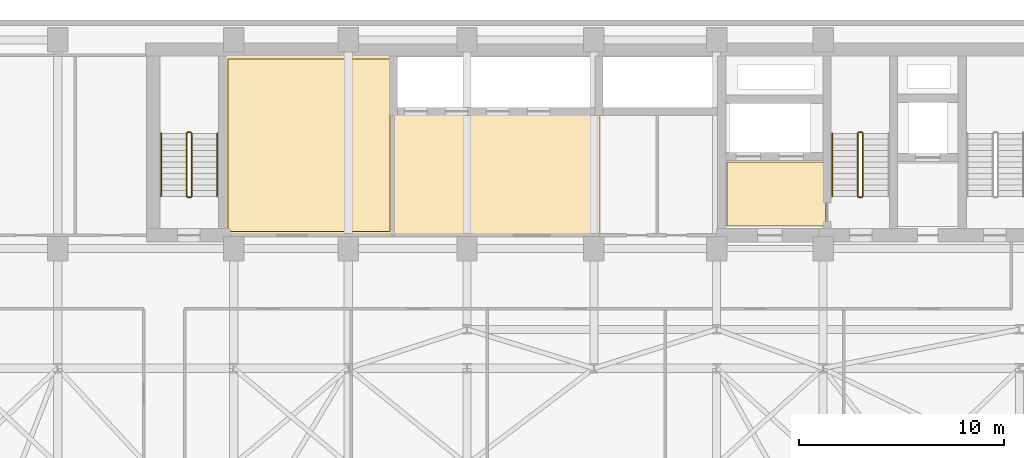
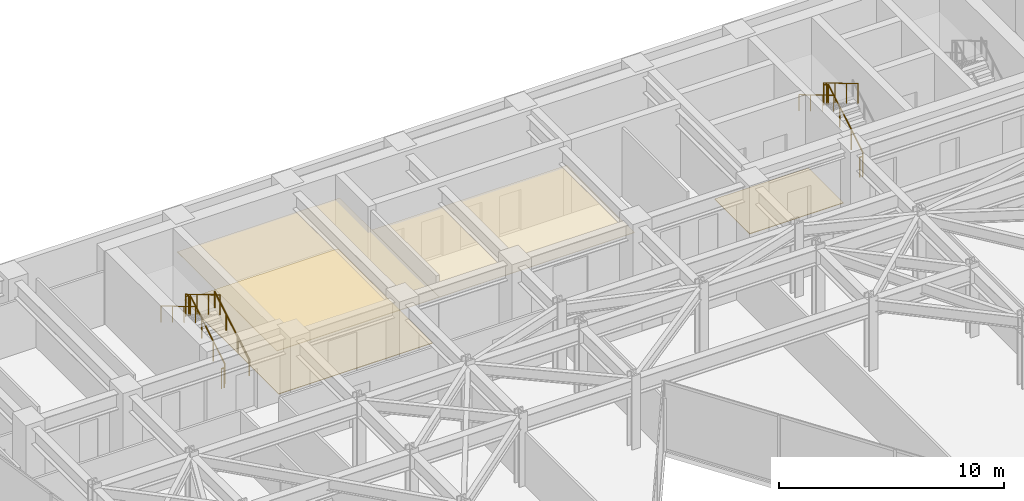
# One storey, part 25 of 26: 11 railings, 4 coverings.
"""IFC4 building model written with IfcOpenShell, lengths in metres."""

from ifc_helpers import new_model, si_unit, direction, frame, origin, origin_2d, place, context, subcontext, project, spatial, polyline, circle, outline, extrude, material, layer, layer_set, type_object, element, save


model = new_model("IFC4")

# Units and contexts
model_context = context("Model", 3, precision=1e-05, world=origin(), true_north=direction((0.0, 1.0)))
body_context = subcontext(model_context, "Body", "Model", "MODEL_VIEW")
ifc_project = project(units=[si_unit("LENGTHUNIT", "METRE"), si_unit("AREAUNIT", "SQUARE_METRE"), si_unit("VOLUMEUNIT", "CUBIC_METRE"), si_unit("PLANEANGLEUNIT", "RADIAN"), si_unit("MASSUNIT", "GRAM", prefix="KILO")], contexts=[model_context])

# Site, building, storey
site_placement = place(None, origin())
site = spatial("IfcSite", under=ifc_project, at=site_placement, CompositionType="ELEMENT")
building_placement = place(site_placement, origin())
building = spatial("IfcBuilding", under=site, at=building_placement, Name="Kravanh Interchange Tower", CompositionType="ELEMENT")
storey_placement = place(building_placement, frame((0.0, 0.0, 112.0)))
storey = spatial("IfcBuildingStorey", under=building, at=storey_placement, Name="L26", CompositionType="ELEMENT", Elevation=112.0)

# Coverings
ifc_material_1 = material(Name="Cementitious Terrazzo Tile")
ifc_layer_1 = layer(ifc_material_1, 0.030029296875)
ifc_layer_set_1 = layer_set([ifc_layer_1], Name="Honed Terrazzo Lobby Flooring 30mm")
covering_type_1 = type_object("IfcCoveringType", Name="Honed Terrazzo Lobby Flooring 30mm", PredefinedType="FLOORING", material=ifc_layer_set_1)
covering_1_placement = place(storey_placement, origin())
element("IfcCovering", 1, at=covering_1_placement, inside=storey, type_object=covering_type_1, Name="L26 Firefighting Lobby Floor Finish", PredefinedType="FLOORING", context=body_context, shape_type="SweptSolid", body=[
    extrude(outline(polyline([(56.1201171875, 38.4599609375), (51.300048828125, 38.4599609375), (51.300048828125, 41.580078125), (56.1201171875, 41.580078125), (56.1201171875, 38.4599609375)])), origin(), (0.0, 0.0, 1.0), 0.030029296875),
])
covering_2_placement = place(storey_placement, origin())
element("IfcCovering", 2, at=covering_2_placement, inside=storey, type_object=covering_type_1, Name="L26 Tenant Wellness and Prayer Suite Floor Finish", PredefinedType="FLOORING", context=body_context, shape_type="SweptSolid", body=[
    extrude(outline(polyline([(26.929931640625, 46.6201171875), (34.840087890625, 46.6201171875), (34.840087890625, 38.179931640625), (26.929931640625, 38.179931640625), (26.929931640625, 46.6201171875)])), origin(), (0.0, 0.0, 1.0), 0.030029296875),
])
ifc_material_2 = material(Name="Anodised Bronze Aluminium Acoustic Baffle", Category="aluminium")
ifc_layer_2 = layer(ifc_material_2, 0.034912109375)
ifc_layer_set_2 = layer_set([ifc_layer_2], Name="Linear Bronze Baffle Feature Ceiling 35mm")
covering_type_2 = type_object("IfcCoveringType", Name="Linear Bronze Baffle Feature Ceiling 35mm", PredefinedType="CEILING", material=ifc_layer_set_2)
covering_3_placement = place(storey_placement, frame((0.0, 0.0, 2.550048828125)))
element("IfcCovering", 3, at=covering_3_placement, inside=storey, type_object=covering_type_2, Name="L26 Tenant Wellness and Prayer Suite Suspended Ceiling", PredefinedType="CEILING", context=body_context, shape_type="SweptSolid", body=[
    extrude(outline(polyline([(35.06005859375, 37.9599609375), (26.7099609375, 37.9599609375), (26.7099609375, 46.840087890625), (35.06005859375, 46.840087890625), (35.06005859375, 37.9599609375)])), origin(), (0.0, 0.0, 1.0), 0.034912109375),
])
ifc_material_3 = material(Name="Acoustic Mineral Fibre Tile on Aluminium Grid", Category="aluminium")
ifc_layer_3 = layer(ifc_material_3, 0.02490234375)
ifc_layer_set_3 = layer_set([ifc_layer_3], Name="Perforated Acoustic Mineral Ceiling 25mm")
covering_type_3 = type_object("IfcCoveringType", Name="Perforated Acoustic Mineral Ceiling 25mm", PredefinedType="CEILING", material=ifc_layer_set_3)
covering_4_placement = place(storey_placement, frame((0.0, 0.0, 2.550048828125)))
element("IfcCovering", 4, at=covering_4_placement, inside=storey, type_object=covering_type_3, Name="L26 Mid-Rise Lift Lobby Suspended Ceiling", PredefinedType="CEILING", context=body_context, shape_type="SweptSolid", body=[
    extrude(outline(polyline([(45.090087890625, 37.9599609375), (34.93994140625, 37.9599609375), (34.93994140625, 43.989990234375), (45.090087890625, 43.989990234375), (45.090087890625, 37.9599609375)])), origin(), (0.0, 0.0, 1.0), 0.02490234375),
])

# Railings
ifc_material_4 = material(Name="Structural Steel S355", Category="steel")
ifc_layer_4 = layer(ifc_material_4, 0.050048828125)
ifc_layer_set_4 = layer_set([ifc_layer_4], Name="Stair Well Guardrail Structural Steel S355 1100mm")
railing_type_1 = type_object("IfcRailingType", Name="Stair Well Guardrail Structural Steel S355 1100mm", PredefinedType="GUARDRAIL", material=ifc_layer_set_4)
railing_1_placement = place(storey_placement, frame((57.949951171875, 39.89990234375, 0.166748046875)))
element("IfcRailing", 5, at=railing_1_placement, inside=storey, type_object=railing_type_1, Name="L26 ST2 stair guard 1", PredefinedType="GUARDRAIL", context=body_context, shape_type="SweptSolid", body=[
    extrude(circle(Radius=0.02392578125, at=origin_2d()), frame((0.0, 0.0, 1.076171875), z_axis=(0.0, 0.859308565015, 0.511457515432), x_axis=(-1.0, 0.0, 0.0)), (0.0, 0.0, 1.0), 3.58447265625),
    extrude(circle(Radius=0.02099609375, at=origin_2d()), origin(), (0.0, 0.0, 1.0), 1.052001953125),
    extrude(circle(Radius=0.02099609375, at=origin_2d()), frame((0.0, 1.026611328125, 0.611083984375)), (0.0, 0.0, 1.0), 1.052001953125),
    extrude(circle(Radius=0.02099609375, at=origin_2d()), frame((0.0, 2.053466796875, 1.22216796875)), (0.0, 0.0, 1.0), 1.052001953125),
    extrude(circle(Radius=0.02099609375, at=origin_2d()), frame((0.0, 3.080078125, 1.833251953125)), (0.0, 0.0, 1.0), 1.052001953125),
])
railing_2_placement = place(storey_placement, frame((57.89990234375, 43.030029296875, 2.0)))
element("IfcRailing", 6, at=railing_2_placement, inside=storey, type_object=railing_type_1, Name="L26 ST2 stair guard 2", PredefinedType="GUARDRAIL", context=body_context, shape_type="SweptSolid", body=[
    extrude(circle(Radius=0.02392578125, at=origin_2d()), frame((0.0, 0.0, 1.076171875), z_axis=(-1.0, 0.0, 0.0), x_axis=(0.0, -1.0, 0.0)), (0.0, 0.0, 1.0), 0.14990234375),
    extrude(circle(Radius=0.02099609375, at=origin_2d()), origin(), (0.0, 0.0, 1.0), 1.052001953125),
    extrude(circle(Radius=0.02099609375, at=origin_2d()), frame((-0.14990234375, 0.0, 0.0)), (0.0, 0.0, 1.0), 1.052001953125),
])
railing_3_placement = place(storey_placement, frame((57.699951171875, 42.97998046875, 2.166748046875)))
element("IfcRailing", 7, at=railing_3_placement, inside=storey, type_object=railing_type_1, Name="L26 ST2 stair guard 3", PredefinedType="GUARDRAIL", context=body_context, shape_type="SweptSolid", body=[
    extrude(circle(Radius=0.02392578125, at=origin_2d()), frame((0.0, 0.0, 1.076171875), z_axis=(0.0, -0.859308565015, 0.511457515432), x_axis=(1.0, 0.0, 0.0)), (0.0, 0.0, 1.0), 3.58447265625),
    extrude(circle(Radius=0.02099609375, at=origin_2d()), origin(), (0.0, 0.0, 1.0), 1.052001953125),
    extrude(circle(Radius=0.02099609375, at=origin_2d()), frame((0.0, -1.026611328125, 0.611083984375)), (0.0, 0.0, 1.0), 1.052001953125),
    extrude(circle(Radius=0.02099609375, at=origin_2d()), frame((0.0, -2.053466796875, 1.22216796875)), (0.0, 0.0, 1.0), 1.052001953125),
    extrude(circle(Radius=0.02099609375, at=origin_2d()), frame((0.0, -3.080078125, 1.833251953125)), (0.0, 0.0, 1.0), 1.052001953125),
])
railing_4_placement = place(storey_placement, frame((57.89990234375, 39.85009765625, 0.0)))
element("IfcRailing", 8, at=railing_4_placement, inside=storey, type_object=railing_type_1, Name="L26 ST2 stair guard 4", PredefinedType="GUARDRAIL", context=body_context, shape_type="SweptSolid", body=[
    extrude(circle(Radius=0.02392578125, at=origin_2d()), frame((0.0, 0.0, 1.076171875), z_axis=(-1.0, 0.0, 0.0), x_axis=(0.0, -1.0, 0.0)), (0.0, 0.0, 1.0), 0.14990234375),
    extrude(circle(Radius=0.02099609375, at=origin_2d()), origin(), (0.0, 0.0, 1.0), 1.052001953125),
    extrude(circle(Radius=0.02099609375, at=origin_2d()), frame((-0.14990234375, 0.0, 0.0)), (0.0, 0.0, 1.0), 1.052001953125),
])
railing_5_placement = place(storey_placement, frame((25.14990234375, 39.89990234375, 0.166748046875)))
element("IfcRailing", 9, at=railing_5_placement, inside=storey, type_object=railing_type_1, Name="L26 ST3 stair guard 1", PredefinedType="GUARDRAIL", context=body_context, shape_type="SweptSolid", body=[
    extrude(circle(Radius=0.02392578125, at=origin_2d()), frame((0.0, 0.0, 1.076171875), z_axis=(0.0, 0.859308565015, 0.511457515432), x_axis=(-1.0, 0.0, 0.0)), (0.0, 0.0, 1.0), 3.58447265625),
    extrude(circle(Radius=0.02099609375, at=origin_2d()), origin(), (0.0, 0.0, 1.0), 1.052001953125),
    extrude(circle(Radius=0.02099609375, at=origin_2d()), frame((0.0, 1.026611328125, 0.611083984375)), (0.0, 0.0, 1.0), 1.052001953125),
    extrude(circle(Radius=0.02099609375, at=origin_2d()), frame((0.0, 2.053466796875, 1.22216796875)), (0.0, 0.0, 1.0), 1.052001953125),
    extrude(circle(Radius=0.02099609375, at=origin_2d()), frame((0.0, 3.080078125, 1.833251953125)), (0.0, 0.0, 1.0), 1.052001953125),
])
railing_6_placement = place(storey_placement, frame((25.10009765625, 43.030029296875, 2.0)))
element("IfcRailing", 10, at=railing_6_placement, inside=storey, type_object=railing_type_1, Name="L26 ST3 stair guard 2", PredefinedType="GUARDRAIL", context=body_context, shape_type="SweptSolid", body=[
    extrude(circle(Radius=0.02392578125, at=origin_2d()), frame((0.0, 0.0, 1.076171875), z_axis=(-1.0, 0.0, 0.0), x_axis=(0.0, -1.0, 0.0)), (0.0, 0.0, 1.0), 0.150146484375),
    extrude(circle(Radius=0.02099609375, at=origin_2d()), origin(), (0.0, 0.0, 1.0), 1.052001953125),
    extrude(circle(Radius=0.02099609375, at=origin_2d()), frame((-0.150146484375, 0.0, 0.0)), (0.0, 0.0, 1.0), 1.052001953125),
])
railing_7_placement = place(storey_placement, frame((24.89990234375, 42.97998046875, 2.166748046875)))
element("IfcRailing", 11, at=railing_7_placement, inside=storey, type_object=railing_type_1, Name="L26 ST3 stair guard 3", PredefinedType="GUARDRAIL", context=body_context, shape_type="SweptSolid", body=[
    extrude(circle(Radius=0.02392578125, at=origin_2d()), frame((0.0, 0.0, 1.076171875), z_axis=(0.0, -0.859308565015, 0.511457515432), x_axis=(1.0, 0.0, 0.0)), (0.0, 0.0, 1.0), 3.58447265625),
    extrude(circle(Radius=0.02099609375, at=origin_2d()), origin(), (0.0, 0.0, 1.0), 1.052001953125),
    extrude(circle(Radius=0.02099609375, at=origin_2d()), frame((0.0, -1.026611328125, 0.611083984375)), (0.0, 0.0, 1.0), 1.052001953125),
    extrude(circle(Radius=0.02099609375, at=origin_2d()), frame((0.0, -2.053466796875, 1.22216796875)), (0.0, 0.0, 1.0), 1.052001953125),
    extrude(circle(Radius=0.02099609375, at=origin_2d()), frame((0.0, -3.080078125, 1.833251953125)), (0.0, 0.0, 1.0), 1.052001953125),
])
railing_8_placement = place(storey_placement, frame((25.10009765625, 39.85009765625, 0.0)))
element("IfcRailing", 12, at=railing_8_placement, inside=storey, type_object=railing_type_1, Name="L26 ST3 stair guard 4", PredefinedType="GUARDRAIL", context=body_context, shape_type="SweptSolid", body=[
    extrude(circle(Radius=0.02392578125, at=origin_2d()), frame((0.0, 0.0, 1.076171875), z_axis=(-1.0, 0.0, 0.0), x_axis=(0.0, -1.0, 0.0)), (0.0, 0.0, 1.0), 0.150146484375),
    extrude(circle(Radius=0.02099609375, at=origin_2d()), origin(), (0.0, 0.0, 1.0), 1.052001953125),
    extrude(circle(Radius=0.02099609375, at=origin_2d()), frame((-0.150146484375, 0.0, 0.0)), (0.0, 0.0, 1.0), 1.052001953125),
])
ifc_material_5 = material(Name="Stainless Steel 304", Category="steel")
ifc_layer_5 = layer(ifc_material_5, 0.044921875)
ifc_layer_set_5 = layer_set([ifc_layer_5], Name="Tubular Stair Handrail Stainless 304 900mm")
railing_type_2 = type_object("IfcRailingType", Name="Tubular Stair Handrail Stainless 304 900mm", PredefinedType="HANDRAIL", material=ifc_layer_set_5)
railing_9_placement = place(storey_placement, frame((56.449951171875, 42.97998046875, 2.166748046875)))
element("IfcRailing", 13, at=railing_9_placement, inside=storey, type_object=railing_type_2, Name="L26 ST2 stair handrail 2", PredefinedType="HANDRAIL", context=body_context, shape_type="SweptSolid", body=[
    extrude(circle(Radius=0.02392578125, at=origin_2d()), frame((0.0, 0.0, 0.8759765625), z_axis=(0.0, -0.859308565015, 0.511457515432), x_axis=(1.0, 0.0, 0.0)), (0.0, 0.0, 1.0), 3.58447265625),
    extrude(circle(Radius=0.02099609375, at=origin_2d()), origin(), (0.0, 0.0, 1.0), 0.851806640625),
    extrude(circle(Radius=0.02099609375, at=origin_2d()), frame((0.0, -1.026611328125, 0.611083984375)), (0.0, 0.0, 1.0), 0.851806640625),
    extrude(circle(Radius=0.02099609375, at=origin_2d()), frame((0.0, -2.053466796875, 1.22216796875)), (0.0, 0.0, 1.0), 0.851806640625),
    extrude(circle(Radius=0.02099609375, at=origin_2d()), frame((0.0, -3.080078125, 1.833251953125)), (0.0, 0.0, 1.0), 0.851806640625),
])
railing_10_placement = place(storey_placement, frame((26.39990234375, 39.89990234375, 0.166748046875)))
element("IfcRailing", 14, at=railing_10_placement, inside=storey, type_object=railing_type_2, Name="L26 ST3 stair handrail 1", PredefinedType="HANDRAIL", context=body_context, shape_type="SweptSolid", body=[
    extrude(circle(Radius=0.02392578125, at=origin_2d()), frame((0.0, 0.0, 0.8759765625), z_axis=(0.0, 0.859308565015, 0.511457515432), x_axis=(-1.0, 0.0, 0.0)), (0.0, 0.0, 1.0), 3.58447265625),
    extrude(circle(Radius=0.02099609375, at=origin_2d()), origin(), (0.0, 0.0, 1.0), 0.851806640625),
    extrude(circle(Radius=0.02099609375, at=origin_2d()), frame((0.0, 1.026611328125, 0.611083984375)), (0.0, 0.0, 1.0), 0.851806640625),
    extrude(circle(Radius=0.02099609375, at=origin_2d()), frame((0.0, 2.053466796875, 1.22216796875)), (0.0, 0.0, 1.0), 0.851806640625),
    extrude(circle(Radius=0.02099609375, at=origin_2d()), frame((0.0, 3.080078125, 1.833251953125)), (0.0, 0.0, 1.0), 0.851806640625),
])
railing_11_placement = place(storey_placement, frame((23.64990234375, 42.97998046875, 2.166748046875)))
element("IfcRailing", 15, at=railing_11_placement, inside=storey, type_object=railing_type_2, Name="L26 ST3 stair handrail 2", PredefinedType="HANDRAIL", context=body_context, shape_type="SweptSolid", body=[
    extrude(circle(Radius=0.02392578125, at=origin_2d()), frame((0.0, 0.0, 0.8759765625), z_axis=(0.0, -0.859308565015, 0.511457515432), x_axis=(1.0, 0.0, 0.0)), (0.0, 0.0, 1.0), 3.58447265625),
    extrude(circle(Radius=0.02099609375, at=origin_2d()), origin(), (0.0, 0.0, 1.0), 0.851806640625),
    extrude(circle(Radius=0.02099609375, at=origin_2d()), frame((0.0, -1.026611328125, 0.611083984375)), (0.0, 0.0, 1.0), 0.851806640625),
    extrude(circle(Radius=0.02099609375, at=origin_2d()), frame((0.0, -2.053466796875, 1.22216796875)), (0.0, 0.0, 1.0), 0.851806640625),
    extrude(circle(Radius=0.02099609375, at=origin_2d()), frame((0.0, -3.080078125, 1.833251953125)), (0.0, 0.0, 1.0), 0.851806640625),
])

save(model, "model.ifc")
